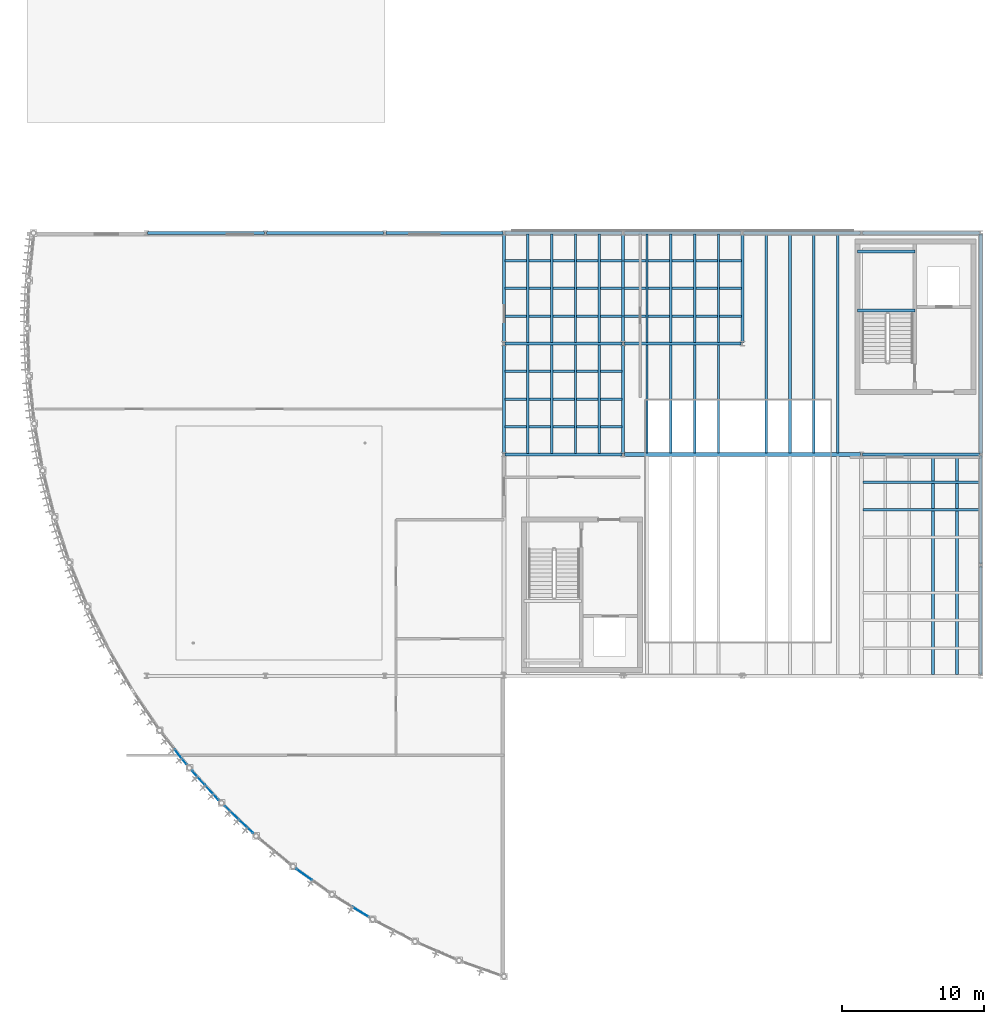
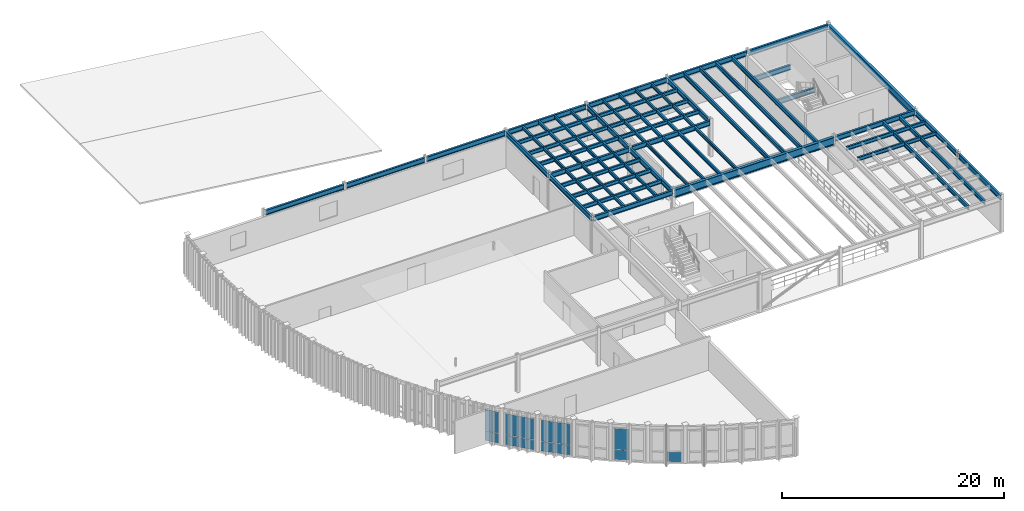
# One storey, part 15 of 26: 55 beams, 13 plates, 5 elements without a shape of their own.
"""IFC4 building model written with IfcOpenShell, lengths in metres."""

from ifc_helpers import new_model, si_unit, direction, frame, origin, origin_2d, place, context, subcontext, project, spatial, rectangle, i_section, extrude, material, layer, layer_set, material_profile, profile_set, type_object, element, aggregate, save


model = new_model("IFC4")

# Units and contexts
model_context = context("Model", 3, precision=1e-05, world=origin(), true_north=direction((0.0, 1.0)))
body_context = subcontext(model_context, "Body", "Model", "MODEL_VIEW")
ifc_project = project(units=[si_unit("LENGTHUNIT", "METRE"), si_unit("AREAUNIT", "SQUARE_METRE"), si_unit("VOLUMEUNIT", "CUBIC_METRE"), si_unit("PLANEANGLEUNIT", "RADIAN"), si_unit("MASSUNIT", "GRAM", prefix="KILO")], contexts=[model_context])

# Site, building, storey
site_placement = place(None, origin())
site = spatial("IfcSite", under=ifc_project, at=site_placement, CompositionType="ELEMENT")
building_placement = place(site_placement, origin())
building = spatial("IfcBuilding", under=site, at=building_placement, Name="Selat Folded Stagehouse", CompositionType="ELEMENT")
storey_placement = place(building_placement, frame((0.0, 0.0, 23.39990234375)))
storey = spatial("IfcBuildingStorey", under=building, at=storey_placement, Name="L05", CompositionType="ELEMENT", Elevation=23.39990234375)

# Beams
ifc_material_1 = material(Name="Steel S355", Category="steel")
ifc_material_profile_1 = material_profile(ifc_material_1, i_section(OverallWidth=0.210693359375, OverallDepth=0.53955078125, WebThickness=0.01171875, FlangeThickness=0.018798828125, FilletRadius=0.0126953125, at=origin_2d()), Name="UKB 533x210x109")
ifc_profile_set_1 = profile_set([ifc_material_profile_1], Name="Steel S355")
beam_type_1 = type_object("IfcBeamType", Name="BM-GIRD-533x210x109", PredefinedType="BEAM", material=ifc_profile_set_1)
beam_1_placement = place(storey_placement, frame((33.60009765625, 39.080078125, 3.685302734375), z_axis=(0.0, 1.0, 0.0), x_axis=(-1.0, 0.0, 0.0)))
element("IfcBeam", 1, at=beam_1_placement, inside=storey, type_object=beam_type_1, Name="L05 primary y-girder 1439", PredefinedType="BEAM", context=body_context, shape_type="SweptSolid", body=[
    extrude(i_section(OverallWidth=0.210693359375, OverallDepth=0.53955078125, WebThickness=0.01171875, FlangeThickness=0.018798828125, FilletRadius=0.0126953125, at=origin_2d()), origin(), (0.0, 0.0, 1.0), 7.639892578125),
])
beam_2_placement = place(storey_placement, frame((33.60009765625, 46.8798828125, 3.685302734375), z_axis=(0.0, 1.0, 0.0), x_axis=(-1.0, 0.0, 0.0)))
element("IfcBeam", 2, at=beam_2_placement, inside=storey, type_object=beam_type_1, Name="L05 primary y-girder 1440", PredefinedType="BEAM", context=body_context, shape_type="SweptSolid", body=[
    extrude(i_section(OverallWidth=0.210693359375, OverallDepth=0.53955078125, WebThickness=0.01171875, FlangeThickness=0.018798828125, FilletRadius=0.0126953125, at=origin_2d()), origin(), (0.0, 0.0, 1.0), 7.64013671875),
])
beam_3_placement = place(storey_placement, frame((42.0, 39.080078125, 3.685302734375), z_axis=(0.0, 1.0, 0.0), x_axis=(-1.0, 0.0, 0.0)))
element("IfcBeam", 3, at=beam_3_placement, inside=storey, type_object=beam_type_1, Name="L05 primary y-girder 1441", PredefinedType="BEAM", context=body_context, shape_type="SweptSolid", body=[
    extrude(i_section(OverallWidth=0.210693359375, OverallDepth=0.53955078125, WebThickness=0.01171875, FlangeThickness=0.018798828125, FilletRadius=0.0126953125, at=origin_2d()), origin(), (0.0, 0.0, 1.0), 7.639892578125),
])
for number, where, z_axis, x_axis, name in (
    (4, (42.0, 46.8798828125, 3.685302734375), (0.0, 1.0, 0.0), (-1.0, 0.0, 0.0), "L05 primary y-girder 1442"),
    (5, (50.39990234375, 46.8798828125, 3.685302734375), (0.0, 1.0, 0.0), (-1.0, 0.0, 0.0), "L05 primary y-girder 1443"),
    (6, (67.199951171875, 23.47998046875, 3.685302734375), (0.0, 1.0, 0.0), (-1.0, 0.0, 0.0), "L05 primary y-girder 1445"),
):
    element("IfcBeam", number, at=place(storey_placement, frame(where, z_axis=z_axis, x_axis=x_axis)), inside=storey, type_object=beam_type_1, Name=name, PredefinedType="BEAM", context=body_context, shape_type="SweptSolid", body=[
        extrude(i_section(OverallWidth=0.210693359375, OverallDepth=0.53955078125, WebThickness=0.01171875, FlangeThickness=0.018798828125, FilletRadius=0.0126953125, at=origin_2d()), origin(), (0.0, 0.0, 1.0), 7.64013671875),
    ])
beam_4_placement = place(storey_placement, frame((67.199951171875, 31.280029296875, 3.685302734375), z_axis=(0.0, 1.0, 0.0), x_axis=(-1.0, 0.0, 0.0)))
element("IfcBeam", 7, at=beam_4_placement, inside=storey, type_object=beam_type_1, Name="L05 primary y-girder 1446", PredefinedType="BEAM", context=body_context, shape_type="SweptSolid", body=[
    extrude(i_section(OverallWidth=0.210693359375, OverallDepth=0.53955078125, WebThickness=0.01171875, FlangeThickness=0.018798828125, FilletRadius=0.0126953125, at=origin_2d()), origin(), (0.0, 0.0, 1.0), 7.639892578125),
])
ifc_material_profile_2 = material_profile(ifc_material_1, i_section(OverallWidth=0.209228515625, OverallDepth=0.533203125, WebThickness=0.010009765625, FlangeThickness=0.015625, FilletRadius=0.0126953125, at=origin_2d()), Name="UKB 533x210x92")
ifc_profile_set_2 = profile_set([ifc_material_profile_2], Name="Steel S355")
beam_type_2 = type_object("IfcBeamType", Name="BM-GIRD-533x210x92", PredefinedType="BEAM", material=ifc_profile_set_2)
beam_5_placement = place(storey_placement, frame((33.679931640625, 39.0, 3.6884765625), z_axis=(1.0, 0.0, 0.0), x_axis=(0.0, 1.0, 0.0)))
element("IfcBeam", 8, at=beam_5_placement, inside=storey, type_object=beam_type_2, Name="L05 primary x-girder 1426", PredefinedType="BEAM", context=body_context, shape_type="SweptSolid", body=[
    extrude(i_section(OverallWidth=0.209228515625, OverallDepth=0.533203125, WebThickness=0.010009765625, FlangeThickness=0.015625, FilletRadius=0.0126953125, at=origin_2d()), origin(), (0.0, 0.0, 1.0), 8.239990234375),
])
beam_6_placement = place(storey_placement, frame((58.8798828125, 39.0, 3.6884765625), z_axis=(1.0, 0.0, 0.0), x_axis=(0.0, 1.0, 0.0)))
element("IfcBeam", 9, at=beam_6_placement, inside=storey, type_object=beam_type_2, Name="L05 primary x-girder 1428", PredefinedType="BEAM", context=body_context, shape_type="SweptSolid", body=[
    extrude(i_section(OverallWidth=0.209228515625, OverallDepth=0.533203125, WebThickness=0.010009765625, FlangeThickness=0.015625, FilletRadius=0.0126953125, at=origin_2d()), origin(), (0.0, 0.0, 1.0), 8.240234375),
])
for number, where, z_axis, x_axis, name in (
    (10, (33.679931640625, 46.800048828125, 3.6884765625), (1.0, 0.0, 0.0), (0.0, 1.0, 0.0), "L05 primary x-girder 1429"),
    (11, (42.080078125, 46.800048828125, 3.6884765625), (1.0, 0.0, 0.0), (0.0, 1.0, 0.0), "L05 primary x-girder 1430"),
    (12, (8.47998046875, 54.60009765625, 3.70849609375), (1.0, 0.0, 0.0), (0.0, 1.0, 0.0), "L05 primary x-girder 1431"),
):
    element("IfcBeam", number, at=place(storey_placement, frame(where, z_axis=z_axis, x_axis=x_axis)), inside=storey, type_object=beam_type_2, Name=name, PredefinedType="BEAM", context=body_context, shape_type="SweptSolid", body=[
        extrude(i_section(OverallWidth=0.209228515625, OverallDepth=0.533203125, WebThickness=0.010009765625, FlangeThickness=0.015625, FilletRadius=0.0126953125, at=origin_2d()), origin(), (0.0, 0.0, 1.0), 8.239990234375),
    ])
beam_7_placement = place(storey_placement, frame((16.8798828125, 54.60009765625, 3.70849609375), z_axis=(1.0, 0.0, 0.0), x_axis=(0.0, 1.0, 0.0)))
element("IfcBeam", 13, at=beam_7_placement, inside=storey, type_object=beam_type_2, Name="L05 primary x-girder 1432", PredefinedType="BEAM", context=body_context, shape_type="SweptSolid", body=[
    extrude(i_section(OverallWidth=0.209228515625, OverallDepth=0.533203125, WebThickness=0.010009765625, FlangeThickness=0.015625, FilletRadius=0.0126953125, at=origin_2d()), origin(), (0.0, 0.0, 1.0), 8.240234375),
])
for number, where, z_axis, x_axis, name in (
    (14, (25.280029296875, 54.60009765625, 3.70849609375), (1.0, 0.0, 0.0), (0.0, 1.0, 0.0), "L05 primary x-girder 1433"),
    (15, (33.679931640625, 54.60009765625, 3.6884765625), (1.0, 0.0, 0.0), (0.0, 1.0, 0.0), "L05 primary x-girder 1434"),
    (16, (42.080078125, 54.60009765625, 3.6884765625), (1.0, 0.0, 0.0), (0.0, 1.0, 0.0), "L05 primary x-girder 1435"),
    (17, (50.47998046875, 54.60009765625, 3.6884765625), (1.0, 0.0, 0.0), (0.0, 1.0, 0.0), "L05 primary x-girder 1436"),
):
    element("IfcBeam", number, at=place(storey_placement, frame(where, z_axis=z_axis, x_axis=x_axis)), inside=storey, type_object=beam_type_2, Name=name, PredefinedType="BEAM", context=body_context, shape_type="SweptSolid", body=[
        extrude(i_section(OverallWidth=0.209228515625, OverallDepth=0.533203125, WebThickness=0.010009765625, FlangeThickness=0.015625, FilletRadius=0.0126953125, at=origin_2d()), origin(), (0.0, 0.0, 1.0), 8.239990234375),
    ])
beam_8_placement = place(storey_placement, frame((58.8798828125, 54.60009765625, 3.6884765625), z_axis=(1.0, 0.0, 0.0), x_axis=(0.0, 1.0, 0.0)))
element("IfcBeam", 18, at=beam_8_placement, inside=storey, type_object=beam_type_2, Name="L05 primary x-girder 1437", PredefinedType="BEAM", context=body_context, shape_type="SweptSolid", body=[
    extrude(i_section(OverallWidth=0.209228515625, OverallDepth=0.533203125, WebThickness=0.010009765625, FlangeThickness=0.015625, FilletRadius=0.0126953125, at=origin_2d()), origin(), (0.0, 0.0, 1.0), 8.240234375),
])
for number, where, z_axis, x_axis, name in (
    (19, (58.5, 49.1298828125, 1.633544921875), (1.0, 0.0, 0.0), (0.0, 1.0, 0.0), "L05 ST-02 landing support beam 1"),
    (20, (58.5, 53.31005859375, 1.633544921875), (1.0, 0.0, 0.0), (0.0, 1.0, 0.0), "L05 ST-02 landing support beam 2"),
):
    element("IfcBeam", number, at=place(storey_placement, frame(where, z_axis=z_axis, x_axis=x_axis)), inside=storey, type_object=beam_type_2, Name=name, PredefinedType="BEAM", context=body_context, shape_type="SweptSolid", body=[
        extrude(i_section(OverallWidth=0.209228515625, OverallDepth=0.533203125, WebThickness=0.010009765625, FlangeThickness=0.015625, FilletRadius=0.0126953125, at=origin_2d()), origin(), (0.0, 0.0, 1.0), 4.050048828125),
    ])
ifc_material_profile_3 = material_profile(ifc_material_1, i_section(OverallWidth=0.26806640625, OverallDepth=0.769775390625, WebThickness=0.015625, FlangeThickness=0.025390625, FilletRadius=0.0166015625, at=origin_2d()), Name="UKB 762x267x197")
ifc_profile_set_3 = profile_set([ifc_material_profile_3], Name="Steel S355")
beam_type_3 = type_object("IfcBeamType", Name="BM-GIRD-762x267x197", PredefinedType="BEAM", material=ifc_profile_set_3)
beam_9_placement = place(storey_placement, frame((67.199951171875, 39.080078125, 3.5703125), z_axis=(0.0, 1.0, 0.0), x_axis=(-1.0, 0.0, 0.0)))
element("IfcBeam", 21, at=beam_9_placement, inside=storey, type_object=beam_type_3, Name="L05 primary y-girder 1447", PredefinedType="BEAM", context=body_context, shape_type="SweptSolid", body=[
    extrude(i_section(OverallWidth=0.26806640625, OverallDepth=0.769775390625, WebThickness=0.015625, FlangeThickness=0.025390625, FilletRadius=0.0166015625, at=origin_2d()), origin(), (0.0, 0.0, 1.0), 15.43994140625),
])
ifc_material_profile_4 = material_profile(ifc_material_1, i_section(OverallWidth=0.293701171875, OverallDepth=0.850830078125, WebThickness=0.01611328125, FlangeThickness=0.02685546875, FilletRadius=0.017822265625, at=origin_2d()), Name="UKB 838x292x226")
ifc_profile_set_4 = profile_set([ifc_material_profile_4], Name="Steel S355")
beam_type_4 = type_object("IfcBeamType", Name="BM-LONG-838x292x226", PredefinedType="BEAM", material=ifc_profile_set_4)
beam_10_placement = place(storey_placement, frame((42.080078125, 39.0, 3.529541015625), z_axis=(1.0, 0.0, 0.0), x_axis=(0.0, 1.0, 0.0)))
element("IfcBeam", 22, at=beam_10_placement, inside=storey, type_object=beam_type_4, Name="L05 primary x-girder 1427", PredefinedType="BEAM", context=body_context, shape_type="SweptSolid", body=[
    extrude(i_section(OverallWidth=0.293701171875, OverallDepth=0.850830078125, WebThickness=0.01611328125, FlangeThickness=0.02685546875, FilletRadius=0.017822265625, at=origin_2d()), origin(), (0.0, 0.0, 1.0), 16.639892578125),
])
ifc_material_profile_5 = material_profile(ifc_material_1, i_section(OverallWidth=0.17138671875, OverallDepth=0.35498046875, WebThickness=0.00732421875, FlangeThickness=0.011474609375, FilletRadius=0.01025390625, at=origin_2d()), Name="UKB 356x171x51")
ifc_profile_set_5 = profile_set([ifc_material_profile_5], Name="Steel S355")
beam_type_5 = type_object("IfcBeamType", Name="JST-356x171x51", PredefinedType="JOIST", material=ifc_profile_set_5)
beam_11_placement = place(storey_placement, frame((35.280029296875, 39.0732421875, 3.777587890625), z_axis=(0.0, 1.0, 0.0), x_axis=(-1.0, 0.0, 0.0)))
element("IfcBeam", 23, at=beam_11_placement, inside=storey, type_object=beam_type_5, Name="L05 secondary floor joist 1449", PredefinedType="JOIST", context=body_context, shape_type="SweptSolid", body=[
    extrude(i_section(OverallWidth=0.17138671875, OverallDepth=0.35498046875, WebThickness=0.00732421875, FlangeThickness=0.011474609375, FilletRadius=0.01025390625, at=origin_2d()), origin(), (0.0, 0.0, 1.0), 7.653564453125),
])
beam_12_placement = place(storey_placement, frame((35.280029296875, 46.873291015625, 3.777587890625), z_axis=(0.0, 1.0, 0.0), x_axis=(-1.0, 0.0, 0.0)))
element("IfcBeam", 24, at=beam_12_placement, inside=storey, type_object=beam_type_5, Name="L05 secondary floor joist 1450", PredefinedType="JOIST", context=body_context, shape_type="SweptSolid", body=[
    extrude(i_section(OverallWidth=0.17138671875, OverallDepth=0.35498046875, WebThickness=0.00732421875, FlangeThickness=0.011474609375, FilletRadius=0.01025390625, at=origin_2d()), origin(), (0.0, 0.0, 1.0), 7.6533203125),
])
beam_13_placement = place(storey_placement, frame((36.9599609375, 39.0732421875, 3.777587890625), z_axis=(0.0, 1.0, 0.0), x_axis=(-1.0, 0.0, 0.0)))
element("IfcBeam", 25, at=beam_13_placement, inside=storey, type_object=beam_type_5, Name="L05 secondary floor joist 1451", PredefinedType="JOIST", context=body_context, shape_type="SweptSolid", body=[
    extrude(i_section(OverallWidth=0.17138671875, OverallDepth=0.35498046875, WebThickness=0.00732421875, FlangeThickness=0.011474609375, FilletRadius=0.01025390625, at=origin_2d()), origin(), (0.0, 0.0, 1.0), 7.653564453125),
])
beam_14_placement = place(storey_placement, frame((36.9599609375, 46.873291015625, 3.777587890625), z_axis=(0.0, 1.0, 0.0), x_axis=(-1.0, 0.0, 0.0)))
element("IfcBeam", 26, at=beam_14_placement, inside=storey, type_object=beam_type_5, Name="L05 secondary floor joist 1452", PredefinedType="JOIST", context=body_context, shape_type="SweptSolid", body=[
    extrude(i_section(OverallWidth=0.17138671875, OverallDepth=0.35498046875, WebThickness=0.00732421875, FlangeThickness=0.011474609375, FilletRadius=0.01025390625, at=origin_2d()), origin(), (0.0, 0.0, 1.0), 7.6533203125),
])
beam_15_placement = place(storey_placement, frame((38.639892578125, 39.0732421875, 3.777587890625), z_axis=(0.0, 1.0, 0.0), x_axis=(-1.0, 0.0, 0.0)))
element("IfcBeam", 27, at=beam_15_placement, inside=storey, type_object=beam_type_5, Name="L05 secondary floor joist 1453", PredefinedType="JOIST", context=body_context, shape_type="SweptSolid", body=[
    extrude(i_section(OverallWidth=0.17138671875, OverallDepth=0.35498046875, WebThickness=0.00732421875, FlangeThickness=0.011474609375, FilletRadius=0.01025390625, at=origin_2d()), origin(), (0.0, 0.0, 1.0), 7.653564453125),
])
beam_16_placement = place(storey_placement, frame((38.639892578125, 46.873291015625, 3.777587890625), z_axis=(0.0, 1.0, 0.0), x_axis=(-1.0, 0.0, 0.0)))
element("IfcBeam", 28, at=beam_16_placement, inside=storey, type_object=beam_type_5, Name="L05 secondary floor joist 1454", PredefinedType="JOIST", context=body_context, shape_type="SweptSolid", body=[
    extrude(i_section(OverallWidth=0.17138671875, OverallDepth=0.35498046875, WebThickness=0.00732421875, FlangeThickness=0.011474609375, FilletRadius=0.01025390625, at=origin_2d()), origin(), (0.0, 0.0, 1.0), 7.6533203125),
])
beam_17_placement = place(storey_placement, frame((40.320068359375, 39.0732421875, 3.777587890625), z_axis=(0.0, 1.0, 0.0), x_axis=(-1.0, 0.0, 0.0)))
element("IfcBeam", 29, at=beam_17_placement, inside=storey, type_object=beam_type_5, Name="L05 secondary floor joist 1455", PredefinedType="JOIST", context=body_context, shape_type="SweptSolid", body=[
    extrude(i_section(OverallWidth=0.17138671875, OverallDepth=0.35498046875, WebThickness=0.00732421875, FlangeThickness=0.011474609375, FilletRadius=0.01025390625, at=origin_2d()), origin(), (0.0, 0.0, 1.0), 7.653564453125),
])
beam_18_placement = place(storey_placement, frame((40.320068359375, 46.873291015625, 3.777587890625), z_axis=(0.0, 1.0, 0.0), x_axis=(-1.0, 0.0, 0.0)))
element("IfcBeam", 30, at=beam_18_placement, inside=storey, type_object=beam_type_5, Name="L05 secondary floor joist 1456", PredefinedType="JOIST", context=body_context, shape_type="SweptSolid", body=[
    extrude(i_section(OverallWidth=0.17138671875, OverallDepth=0.35498046875, WebThickness=0.00732421875, FlangeThickness=0.011474609375, FilletRadius=0.01025390625, at=origin_2d()), origin(), (0.0, 0.0, 1.0), 7.6533203125),
])
beam_19_placement = place(storey_placement, frame((43.679931640625, 39.102783203125, 3.777587890625), z_axis=(0.0, 1.0, 0.0), x_axis=(-1.0, 0.0, 0.0)))
element("IfcBeam", 31, at=beam_19_placement, inside=storey, type_object=beam_type_5, Name="L05 secondary floor joist 1458", PredefinedType="JOIST", context=body_context, shape_type="SweptSolid", body=[
    extrude(i_section(OverallWidth=0.17138671875, OverallDepth=0.35498046875, WebThickness=0.00732421875, FlangeThickness=0.011474609375, FilletRadius=0.01025390625, at=origin_2d()), origin(), (0.0, 0.0, 1.0), 7.6240234375),
])
beam_20_placement = place(storey_placement, frame((43.679931640625, 46.873291015625, 3.777587890625), z_axis=(0.0, 1.0, 0.0), x_axis=(-1.0, 0.0, 0.0)))
element("IfcBeam", 32, at=beam_20_placement, inside=storey, type_object=beam_type_5, Name="L05 secondary floor joist 1459", PredefinedType="JOIST", context=body_context, shape_type="SweptSolid", body=[
    extrude(i_section(OverallWidth=0.17138671875, OverallDepth=0.35498046875, WebThickness=0.00732421875, FlangeThickness=0.011474609375, FilletRadius=0.01025390625, at=origin_2d()), origin(), (0.0, 0.0, 1.0), 7.6533203125),
])
beam_21_placement = place(storey_placement, frame((45.360107421875, 39.102783203125, 3.777587890625), z_axis=(0.0, 1.0, 0.0), x_axis=(-1.0, 0.0, 0.0)))
element("IfcBeam", 33, at=beam_21_placement, inside=storey, type_object=beam_type_5, Name="L05 secondary floor joist 1461", PredefinedType="JOIST", context=body_context, shape_type="SweptSolid", body=[
    extrude(i_section(OverallWidth=0.17138671875, OverallDepth=0.35498046875, WebThickness=0.00732421875, FlangeThickness=0.011474609375, FilletRadius=0.01025390625, at=origin_2d()), origin(), (0.0, 0.0, 1.0), 7.6240234375),
])
beam_22_placement = place(storey_placement, frame((45.360107421875, 46.873291015625, 3.777587890625), z_axis=(0.0, 1.0, 0.0), x_axis=(-1.0, 0.0, 0.0)))
element("IfcBeam", 34, at=beam_22_placement, inside=storey, type_object=beam_type_5, Name="L05 secondary floor joist 1462", PredefinedType="JOIST", context=body_context, shape_type="SweptSolid", body=[
    extrude(i_section(OverallWidth=0.17138671875, OverallDepth=0.35498046875, WebThickness=0.00732421875, FlangeThickness=0.011474609375, FilletRadius=0.01025390625, at=origin_2d()), origin(), (0.0, 0.0, 1.0), 7.6533203125),
])
beam_23_placement = place(storey_placement, frame((47.0400390625, 39.102783203125, 3.777587890625), z_axis=(0.0, 1.0, 0.0), x_axis=(-1.0, 0.0, 0.0)))
element("IfcBeam", 35, at=beam_23_placement, inside=storey, type_object=beam_type_5, Name="L05 secondary floor joist 1464", PredefinedType="JOIST", context=body_context, shape_type="SweptSolid", body=[
    extrude(i_section(OverallWidth=0.17138671875, OverallDepth=0.35498046875, WebThickness=0.00732421875, FlangeThickness=0.011474609375, FilletRadius=0.01025390625, at=origin_2d()), origin(), (0.0, 0.0, 1.0), 7.6240234375),
])
beam_24_placement = place(storey_placement, frame((47.0400390625, 46.873291015625, 3.777587890625), z_axis=(0.0, 1.0, 0.0), x_axis=(-1.0, 0.0, 0.0)))
element("IfcBeam", 36, at=beam_24_placement, inside=storey, type_object=beam_type_5, Name="L05 secondary floor joist 1465", PredefinedType="JOIST", context=body_context, shape_type="SweptSolid", body=[
    extrude(i_section(OverallWidth=0.17138671875, OverallDepth=0.35498046875, WebThickness=0.00732421875, FlangeThickness=0.011474609375, FilletRadius=0.01025390625, at=origin_2d()), origin(), (0.0, 0.0, 1.0), 7.6533203125),
])
beam_25_placement = place(storey_placement, frame((48.719970703125, 39.102783203125, 3.777587890625), z_axis=(0.0, 1.0, 0.0), x_axis=(-1.0, 0.0, 0.0)))
element("IfcBeam", 37, at=beam_25_placement, inside=storey, type_object=beam_type_5, Name="L05 secondary floor joist 1467", PredefinedType="JOIST", context=body_context, shape_type="SweptSolid", body=[
    extrude(i_section(OverallWidth=0.17138671875, OverallDepth=0.35498046875, WebThickness=0.00732421875, FlangeThickness=0.011474609375, FilletRadius=0.01025390625, at=origin_2d()), origin(), (0.0, 0.0, 1.0), 7.6240234375),
])
beam_26_placement = place(storey_placement, frame((48.719970703125, 46.873291015625, 3.777587890625), z_axis=(0.0, 1.0, 0.0), x_axis=(-1.0, 0.0, 0.0)))
element("IfcBeam", 38, at=beam_26_placement, inside=storey, type_object=beam_type_5, Name="L05 secondary floor joist 1468", PredefinedType="JOIST", context=body_context, shape_type="SweptSolid", body=[
    extrude(i_section(OverallWidth=0.17138671875, OverallDepth=0.35498046875, WebThickness=0.00732421875, FlangeThickness=0.011474609375, FilletRadius=0.01025390625, at=origin_2d()), origin(), (0.0, 0.0, 1.0), 7.6533203125),
])
ifc_material_profile_6 = material_profile(ifc_material_1, i_section(OverallWidth=0.177978515625, OverallDepth=0.406494140625, WebThickness=0.0078125, FlangeThickness=0.0126953125, FilletRadius=0.01025390625, at=origin_2d()), Name="UKB 406x178x60")
ifc_profile_set_6 = profile_set([ifc_material_profile_6], Name="Steel S355")
beam_type_6 = type_object("IfcBeamType", Name="JST-406x178x60", PredefinedType="JOIST", material=ifc_profile_set_6)
for number, where, z_axis, x_axis, name in (
    (39, (58.893798828125, 35.10009765625, 3.751953125), (1.0, 0.0, 0.0), (0.0, 1.0, 0.0), "L05 secondary x-joist 1485"),
    (40, (58.893798828125, 37.050048828125, 3.751953125), (1.0, 0.0, 0.0), (0.0, 1.0, 0.0), "L05 secondary x-joist 1486"),
):
    element("IfcBeam", number, at=place(storey_placement, frame(where, z_axis=z_axis, x_axis=x_axis)), inside=storey, type_object=beam_type_6, Name=name, PredefinedType="JOIST", context=body_context, shape_type="SweptSolid", body=[
        extrude(i_section(OverallWidth=0.177978515625, OverallDepth=0.406494140625, WebThickness=0.0078125, FlangeThickness=0.0126953125, FilletRadius=0.01025390625, at=origin_2d()), origin(), (0.0, 0.0, 1.0), 8.232421875),
    ])
for number, where, z_axis, x_axis, name in (
    (41, (33.673828125, 40.949951171875, 3.751953125), (1.0, 0.0, 0.0), (0.0, 1.0, 0.0), "L05 secondary x-joist 1487"),
    (42, (33.673828125, 42.89990234375, 3.751953125), (1.0, 0.0, 0.0), (0.0, 1.0, 0.0), "L05 secondary x-joist 1488"),
    (43, (33.673828125, 44.85009765625, 3.751953125), (1.0, 0.0, 0.0), (0.0, 1.0, 0.0), "L05 secondary x-joist 1489"),
    (44, (33.673828125, 48.75, 3.751953125), (1.0, 0.0, 0.0), (0.0, 1.0, 0.0), "L05 secondary x-joist 1490"),
    (45, (42.07373046875, 48.75, 3.751953125), (1.0, 0.0, 0.0), (0.0, 1.0, 0.0), "L05 secondary x-joist 1491"),
    (46, (33.673828125, 50.699951171875, 3.751953125), (1.0, 0.0, 0.0), (0.0, 1.0, 0.0), "L05 secondary x-joist 1492"),
    (47, (42.07373046875, 50.699951171875, 3.751953125), (1.0, 0.0, 0.0), (0.0, 1.0, 0.0), "L05 secondary x-joist 1493"),
    (48, (33.673828125, 52.64990234375, 3.751953125), (1.0, 0.0, 0.0), (0.0, 1.0, 0.0), "L05 secondary x-joist 1494"),
    (49, (42.07373046875, 52.64990234375, 3.751953125), (1.0, 0.0, 0.0), (0.0, 1.0, 0.0), "L05 secondary x-joist 1495"),
):
    element("IfcBeam", number, at=place(storey_placement, frame(where, z_axis=z_axis, x_axis=x_axis)), inside=storey, type_object=beam_type_6, Name=name, PredefinedType="JOIST", context=body_context, shape_type="SweptSolid", body=[
        extrude(i_section(OverallWidth=0.177978515625, OverallDepth=0.406494140625, WebThickness=0.0078125, FlangeThickness=0.0126953125, FilletRadius=0.01025390625, at=origin_2d()), origin(), (0.0, 0.0, 1.0), 8.25244140625),
    ])
ifc_material_profile_7 = material_profile(ifc_material_1, i_section(OverallWidth=0.18994140625, OverallDepth=0.453369140625, WebThickness=0.008544921875, FlangeThickness=0.0126953125, FilletRadius=0.01025390625, at=origin_2d()), Name="UKB 457x191x67")
ifc_profile_set_7 = profile_set([ifc_material_profile_7], Name="Steel S355")
beam_type_7 = type_object("IfcBeamType", Name="JST-457x191x67", PredefinedType="JOIST", material=ifc_profile_set_7)
for number, where, z_axis, x_axis, name in (
    (50, (52.080078125, 39.102783203125, 3.728515625), (0.0, 1.0, 0.0), (-1.0, 0.0, 0.0), "L05 secondary floor joist 1470"),
    (51, (53.760009765625, 39.102783203125, 3.728515625), (0.0, 1.0, 0.0), (-1.0, 0.0, 0.0), "L05 secondary floor joist 1472"),
    (52, (55.43994140625, 39.102783203125, 3.728515625), (0.0, 1.0, 0.0), (-1.0, 0.0, 0.0), "L05 secondary floor joist 1474"),
    (53, (57.1201171875, 39.102783203125, 3.728515625), (0.0, 1.0, 0.0), (-1.0, 0.0, 0.0), "L05 secondary floor joist 1476"),
):
    element("IfcBeam", number, at=place(storey_placement, frame(where, z_axis=z_axis, x_axis=x_axis)), inside=storey, type_object=beam_type_7, Name=name, PredefinedType="JOIST", context=body_context, shape_type="SweptSolid", body=[
        extrude(i_section(OverallWidth=0.18994140625, OverallDepth=0.453369140625, WebThickness=0.008544921875, FlangeThickness=0.0126953125, FilletRadius=0.01025390625, at=origin_2d()), origin(), (0.0, 0.0, 1.0), 15.423828125),
    ])
for number, where, z_axis, x_axis, name in (
    (54, (63.840087890625, 23.473388671875, 3.728515625), (0.0, 1.0, 0.0), (-1.0, 0.0, 0.0), "L05 secondary floor joist 1479"),
    (55, (65.52001953125, 23.473388671875, 3.728515625), (0.0, 1.0, 0.0), (-1.0, 0.0, 0.0), "L05 secondary floor joist 1480"),
):
    element("IfcBeam", number, at=place(storey_placement, frame(where, z_axis=z_axis, x_axis=x_axis)), inside=storey, type_object=beam_type_7, Name=name, PredefinedType="JOIST", context=body_context, shape_type="SweptSolid", body=[
        extrude(i_section(OverallWidth=0.18994140625, OverallDepth=0.453369140625, WebThickness=0.008544921875, FlangeThickness=0.0126953125, FilletRadius=0.01025390625, at=origin_2d()), origin(), (0.0, 0.0, 1.0), 15.453369140625),
    ])

# Curtain wall, plates
ifc_material_2 = material(Name="Aluminium 6063-T6", Category="aluminium")
ifc_layer_1 = layer(ifc_material_2, 0.18505859375)
ifc_layer_set_1 = layer_set([ifc_layer_1], Name="Aluminium 6063-T6")
curtain_wall_type = type_object("IfcCurtainWallType", Name="CW-DRM-UPPER", PredefinedType="NOTDEFINED", material=ifc_layer_set_1)
curtain_wall_1_placement = place(storey_placement, origin())
curtain_wall_1 = element("IfcCurtainWall", 56, at=curtain_wall_1_placement, inside=storey, type_object=curtain_wall_type, Name="L05 curtain wall CW-DRM-L05-11", PredefinedType="NOTDEFINED")
ifc_material_3 = material(Name="Acoustic laminated double glazing", Category="glass")
ifc_layer_2 = layer(ifc_material_3, 0.035888671875)
ifc_layer_set_2 = layer_set([ifc_layer_2], Name="Acoustic laminated double glazing")
plate_type = type_object("IfcPlateType", Name="CWP-GLZ-DGU36", PredefinedType="CURTAIN_PANEL", material=ifc_layer_set_2)
plate_1_placement = place(storey_placement, frame((10.81640625, 17.684326171875, 0.06494140625), z_axis=(0.0, 0.0, 1.0), x_axis=(-0.620533301992, 0.784180094825, 0.0)))
plate_1 = element("IfcPlate", 57, at=plate_1_placement, type_object=plate_type, Name="CW-03 panel 1.1", PredefinedType="CURTAIN_PANEL", context=body_context, shape_type="SweptSolid", body=[
    extrude(rectangle(XDim=1.3369140625, YDim=0.035888671875, at=origin_2d()), origin(), (0.0, 0.0, 1.0), 1.052490234375),
])
plate_2_placement = place(storey_placement, frame((10.81640625, 17.684326171875, 1.1826171875), z_axis=(0.0, 0.0, 1.0), x_axis=(-0.620533301992, 0.784180094825, 0.0)))
plate_2 = element("IfcPlate", 58, at=plate_2_placement, type_object=plate_type, Name="CW-03 panel 1.2", PredefinedType="CURTAIN_PANEL", context=body_context, shape_type="SweptSolid", body=[
    extrude(rectangle(XDim=1.3369140625, YDim=0.035888671875, at=origin_2d()), origin(), (0.0, 0.0, 1.0), 2.28759765625),
])
aggregate(curtain_wall_1, [plate_1, plate_2])

curtain_wall_2_placement = place(storey_placement, origin())
curtain_wall_2 = element("IfcCurtainWall", 59, at=curtain_wall_2_placement, inside=storey, type_object=curtain_wall_type, Name="L05 curtain wall CW-DRM-L05-12", PredefinedType="NOTDEFINED")
plate_3_placement = place(storey_placement, frame((13.034423828125, 15.15087890625, 0.06494140625), z_axis=(0.0, 0.0, 1.0), x_axis=(-0.674002369336, 0.738729183213, 0.0)))
plate_3 = element("IfcPlate", 60, at=plate_3_placement, type_object=plate_type, Name="CW-03 panel 1.1", PredefinedType="CURTAIN_PANEL", context=body_context, shape_type="SweptSolid", body=[
    extrude(rectangle(XDim=1.3369140625, YDim=0.035888671875, at=origin_2d()), origin(), (0.0, 0.0, 1.0), 1.052490234375),
])
plate_4_placement = place(storey_placement, frame((13.034423828125, 15.15087890625, 1.1826171875), z_axis=(0.0, 0.0, 1.0), x_axis=(-0.674002369336, 0.738729183213, 0.0)))
plate_4 = element("IfcPlate", 61, at=plate_4_placement, type_object=plate_type, Name="CW-03 panel 1.2", PredefinedType="CURTAIN_PANEL", context=body_context, shape_type="SweptSolid", body=[
    extrude(rectangle(XDim=1.3369140625, YDim=0.035888671875, at=origin_2d()), origin(), (0.0, 0.0, 1.0), 2.28759765625),
])
plate_5_placement = place(storey_placement, frame((12.089599609375, 16.1865234375, 0.06494140625), z_axis=(0.0, 0.0, 1.0), x_axis=(-0.674002369336, 0.738729183213, 0.0)))
plate_5 = element("IfcPlate", 62, at=plate_5_placement, type_object=plate_type, Name="CW-03 panel 2.1", PredefinedType="CURTAIN_PANEL", context=body_context, shape_type="SweptSolid", body=[
    extrude(rectangle(XDim=1.3369140625, YDim=0.035888671875, at=origin_2d()), origin(), (0.0, 0.0, 1.0), 1.052490234375),
])
plate_6_placement = place(storey_placement, frame((12.089599609375, 16.1865234375, 1.1826171875), z_axis=(0.0, 0.0, 1.0), x_axis=(-0.674002369336, 0.738729183213, 0.0)))
plate_6 = element("IfcPlate", 63, at=plate_6_placement, type_object=plate_type, Name="CW-03 panel 2.2", PredefinedType="CURTAIN_PANEL", context=body_context, shape_type="SweptSolid", body=[
    extrude(rectangle(XDim=1.3369140625, YDim=0.035888671875, at=origin_2d()), origin(), (0.0, 0.0, 1.0), 2.28759765625),
])
aggregate(curtain_wall_2, [plate_3, plate_4, plate_5, plate_6])

curtain_wall_3_placement = place(storey_placement, origin())
curtain_wall_3 = element("IfcCurtainWall", 64, at=curtain_wall_3_placement, inside=storey, type_object=curtain_wall_type, Name="L05 curtain wall CW-DRM-L05-13", PredefinedType="NOTDEFINED")
plate_7_placement = place(storey_placement, frame((15.4248046875, 12.779052734375, 0.06494140625), z_axis=(0.0, 0.0, 1.0), x_axis=(-0.724132128869, 0.689661264636, 0.0)))
plate_7 = element("IfcPlate", 65, at=plate_7_placement, type_object=plate_type, Name="CW-03 panel 1.1", PredefinedType="CURTAIN_PANEL", context=body_context, shape_type="SweptSolid", body=[
    extrude(rectangle(XDim=1.337158203125, YDim=0.035888671875, at=origin_2d()), origin(), (0.0, 0.0, 1.0), 1.052490234375),
])
plate_8_placement = place(storey_placement, frame((15.4248046875, 12.779052734375, 1.1826171875), z_axis=(0.0, 0.0, 1.0), x_axis=(-0.724132128869, 0.689661264636, 0.0)))
plate_8 = element("IfcPlate", 66, at=plate_8_placement, type_object=plate_type, Name="CW-03 panel 1.2", PredefinedType="CURTAIN_PANEL", context=body_context, shape_type="SweptSolid", body=[
    extrude(rectangle(XDim=1.337158203125, YDim=0.035888671875, at=origin_2d()), origin(), (0.0, 0.0, 1.0), 2.28759765625),
])
plate_9_placement = place(storey_placement, frame((14.40966796875, 13.74609375, 0.06494140625), z_axis=(0.0, 0.0, 1.0), x_axis=(-0.724132128869, 0.689661264636, 0.0)))
plate_9 = element("IfcPlate", 67, at=plate_9_placement, type_object=plate_type, Name="CW-03 panel 2.1", PredefinedType="CURTAIN_PANEL", context=body_context, shape_type="SweptSolid", body=[
    extrude(rectangle(XDim=1.337158203125, YDim=0.035888671875, at=origin_2d()), origin(), (0.0, 0.0, 1.0), 1.052490234375),
])
plate_10_placement = place(storey_placement, frame((14.40966796875, 13.74609375, 1.1826171875), z_axis=(0.0, 0.0, 1.0), x_axis=(-0.724132128869, 0.689661264636, 0.0)))
plate_10 = element("IfcPlate", 68, at=plate_10_placement, type_object=plate_type, Name="CW-03 panel 2.2", PredefinedType="CURTAIN_PANEL", context=body_context, shape_type="SweptSolid", body=[
    extrude(rectangle(XDim=1.337158203125, YDim=0.035888671875, at=origin_2d()), origin(), (0.0, 0.0, 1.0), 2.28759765625),
])
aggregate(curtain_wall_3, [plate_7, plate_8, plate_9, plate_10])

curtain_wall_4_placement = place(storey_placement, origin())
curtain_wall_4 = element("IfcCurtainWall", 69, at=curtain_wall_4_placement, inside=storey, type_object=curtain_wall_type, Name="L05 curtain wall CW-DRM-L05-15", PredefinedType="NOTDEFINED")
plate_11_placement = place(storey_placement, frame((19.53369140625, 9.38232421875, 0.06494140625), z_axis=(0.0, 0.0, 1.0), x_axis=(-0.813526170861, 0.581528304836, 0.0)))
plate_11 = element("IfcPlate", 70, at=plate_11_placement, type_object=plate_type, Name="CW-03 panel 2.1", PredefinedType="CURTAIN_PANEL", context=body_context, shape_type="SweptSolid", body=[
    extrude(rectangle(XDim=1.3369140625, YDim=0.035888671875, at=origin_2d()), origin(), (0.0, 0.0, 1.0), 1.052490234375),
])
plate_12_placement = place(storey_placement, frame((19.53369140625, 9.38232421875, 1.1826171875), z_axis=(0.0, 0.0, 1.0), x_axis=(-0.813526170861, 0.581528304836, 0.0)))
plate_12 = element("IfcPlate", 71, at=plate_12_placement, type_object=plate_type, Name="CW-03 panel 2.2", PredefinedType="CURTAIN_PANEL", context=body_context, shape_type="SweptSolid", body=[
    extrude(rectangle(XDim=1.3369140625, YDim=0.035888671875, at=origin_2d()), origin(), (0.0, 0.0, 1.0), 2.28759765625),
])
aggregate(curtain_wall_4, [plate_11, plate_12])

# Curtain wall, plate
curtain_wall_5_placement = place(storey_placement, origin())
curtain_wall_5 = element("IfcCurtainWall", 72, at=curtain_wall_5_placement, inside=storey, type_object=curtain_wall_type, Name="L05 curtain wall CW-DRM-L05-16", PredefinedType="NOTDEFINED")
plate_13_placement = place(storey_placement, frame((23.507568359375, 6.747314453125, 0.06494140625), z_axis=(0.0, 0.0, 1.0), x_axis=(-0.852317078277, 0.523025427755, 0.0)))
plate_13 = element("IfcPlate", 73, at=plate_13_placement, type_object=plate_type, Name="CW-03 panel 1.1", PredefinedType="CURTAIN_PANEL", context=body_context, shape_type="SweptSolid", body=[
    extrude(rectangle(XDim=1.3369140625, YDim=0.035888671875, at=origin_2d()), origin(), (0.0, 0.0, 1.0), 1.052490234375),
])
aggregate(curtain_wall_5, [plate_13])

save(model, "model.ifc")
